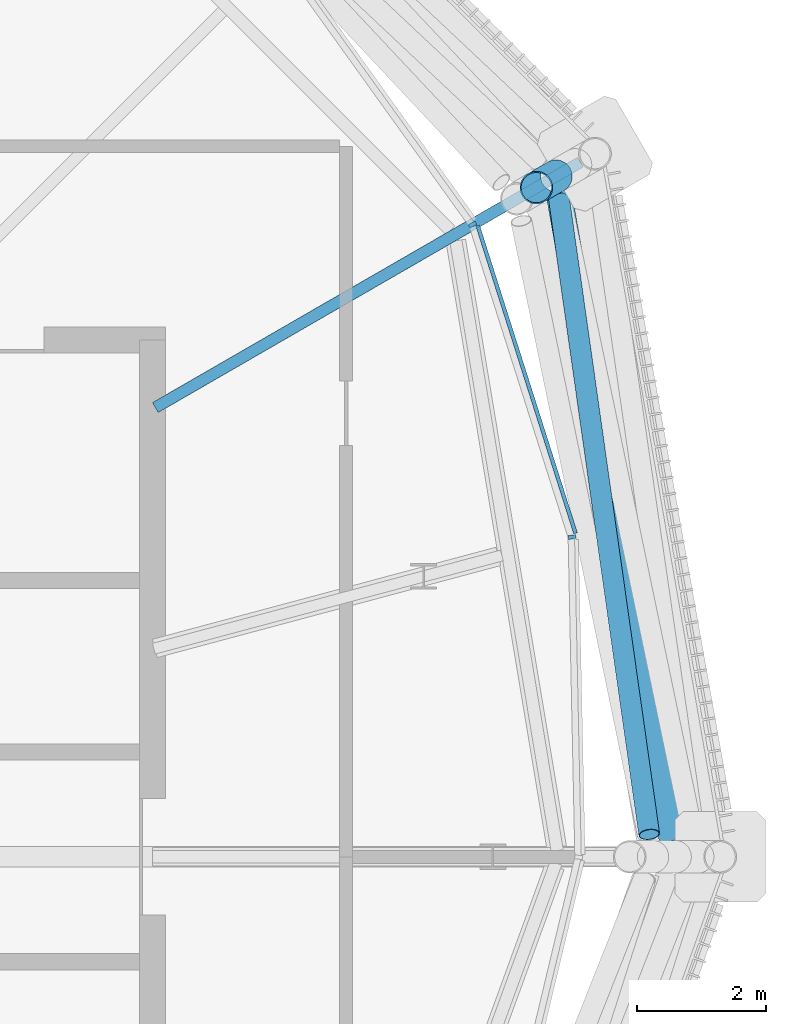
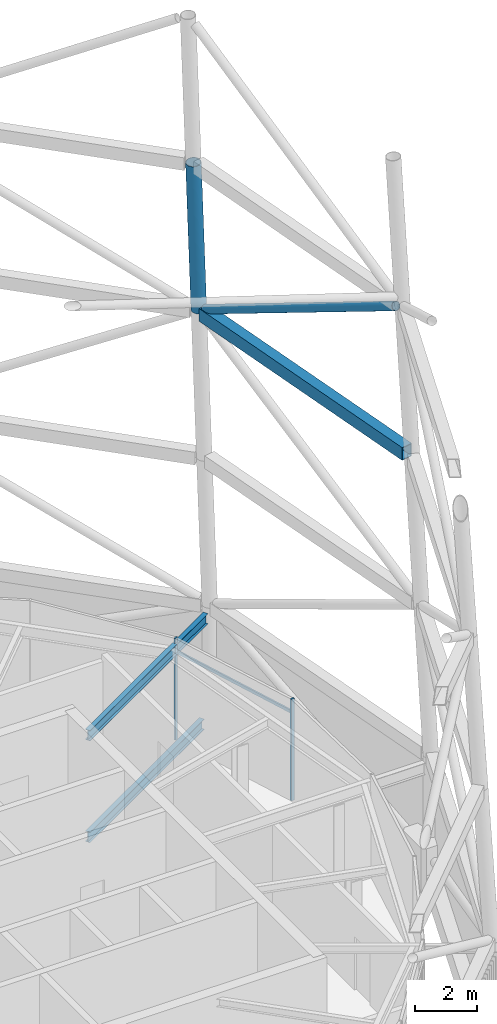
# One storey, part 54 of 71: 5 members, 3 beams, 1 element without a shape of its own.
"""IFC4 building model written with IfcOpenShell, lengths in metres."""

import ifcopenshell
import ifcopenshell.guid

model = None  # the IFC model being written
_history = None  # IfcOwnerHistory: only IFC2X3 demands one
_inside = {}  # id of a spatial element -> (the spatial element, [elements in it])
_under = {}  # id of a project, library or spatial element -> (it, [spatial elements below it])
_declared = {}  # id of a project -> (the project, [libraries it declares])
_typed = {}  # id of a type object -> (the type object, [elements of that type])
_made_of = {}  # id of a material, layer set ... -> (it, [elements and type objects made of it])


def new_model(schema):
    """Start an empty IFC model of exactly this schema.

    Asked for "IFC4X3", IfcOpenShell would pick the latest addendum, in which some entities
    have other attributes; the version numbers below select the first issue.
    IFC2X3 requires an IfcOwnerHistory on every rooted entity: one is made here for all.
    """
    global model, _history
    if schema == "IFC4X3":
        model = ifcopenshell.file(schema_version=(4, 3, 0, 0))
    else:
        model = ifcopenshell.file(schema=schema)
    _inside.clear()
    _under.clear()
    _declared.clear()
    _typed.clear()
    _made_of.clear()
    _history = None
    if model.schema == "IFC2X3":
        org = make("IfcOrganization", Name="unknown")
        user = make(
            "IfcPersonAndOrganization",
            ThePerson=make("IfcPerson", FamilyName="unknown"),
            TheOrganization=org,
        )
        app = make(
            "IfcApplication",
            ApplicationDeveloper=org,
            Version="unknown",
            ApplicationFullName="unknown",
            ApplicationIdentifier="unknown",
        )
        _history = make(
            "IfcOwnerHistory",
            OwningUser=user,
            OwningApplication=app,
            ChangeAction="ADDED",
            CreationDate=0,
        )
    return model


def make(cls, **values):
    """One entity of the class cls with the attributes given. An attribute that is None is left unset."""
    return model.create_entity(
        cls, **{name: value for name, value in values.items() if value is not None}
    )


def rooted(cls, **values):
    """An entity with a GlobalId (a new one), such as an element, a storey or a relation."""
    return make(cls, GlobalId=ifcopenshell.guid.new(), OwnerHistory=_history, **values)


def si_unit(unit_type, name, prefix=None):
    """IfcSIUnit, for example si_unit("LENGTHUNIT", "METRE", prefix="MILLI")."""
    return make("IfcSIUnit", UnitType=unit_type, Prefix=prefix, Name=name)


def assignment(units):
    """IfcUnitAssignment: the units of a project."""
    return None if units is None else make("IfcUnitAssignment", Units=units)


def point(xyz):
    """IfcCartesianPoint."""
    return None if xyz is None else make("IfcCartesianPoint", Coordinates=xyz)


def direction(xyz):
    """IfcDirection."""
    return None if xyz is None else make("IfcDirection", DirectionRatios=xyz)


def frame(location, z_axis=None, x_axis=None):
    """IfcAxis2Placement3D, a coordinate frame: its origin and axes. An axis left out is left unset."""
    return make(
        "IfcAxis2Placement3D",
        Location=point(location),
        Axis=direction(z_axis),
        RefDirection=direction(x_axis),
    )


def frame_2d(location, x_axis=None):
    """IfcAxis2Placement2D, a coordinate frame in the plane: its origin and x axis."""
    return make(
        "IfcAxis2Placement2D", Location=point(location), RefDirection=direction(x_axis)
    )


def origin():
    """The frame at (0, 0, 0) with its axes left unset."""
    return frame((0.0, 0.0, 0.0))


def origin_2d():
    """The frame at (0, 0) in the plane with its x axis left unset."""
    return frame_2d((0.0, 0.0))


def place(relative_to, where):
    """IfcLocalPlacement: puts the frame where relative to a parent placement (None: the world)."""
    return make(
        "IfcLocalPlacement", PlacementRelTo=relative_to, RelativePlacement=where
    )


def context(
    kind, dimensions, precision=None, world=None, true_north=None, identifier=None
):
    """IfcGeometricRepresentationContext, for example the 3D "Model" context."""
    return make(
        "IfcGeometricRepresentationContext",
        ContextIdentifier=identifier,
        ContextType=kind,
        CoordinateSpaceDimension=dimensions,
        Precision=precision,
        WorldCoordinateSystem=world,
        TrueNorth=true_north,
    )


def subcontext(parent, identifier, kind, view, scale=None):
    """IfcGeometricRepresentationSubContext, for example "Body" below "Model"."""
    return make(
        "IfcGeometricRepresentationSubContext",
        ContextIdentifier=identifier,
        ContextType=kind,
        ParentContext=parent,
        TargetScale=scale,
        TargetView=view,
    )


def project(units=None, contexts=None):
    """IfcProject with its units and contexts."""
    return rooted(
        "IfcProject",
        Name="project",
        RepresentationContexts=contexts,
        UnitsInContext=assignment(units),
    )


def spatial(cls, under=None, at=None, **own):
    """A site, building, storey or space (cls), placed at a placement, below another one or the project."""
    s = rooted(cls, ObjectPlacement=at, **own)
    if under is not None:
        _under.setdefault(under.id(), (under, []))[1].append(s)
    return s


def profile(cls, at=None, kind="AREA", **sizes):
    """A parametric profile (cls). Its sizes go by their IFC names, for example OverallWidth=200.0."""
    return make(cls, ProfileType=kind, Position=at, **sizes)


def rectangle(**sizes):
    """IfcRectangleProfileDef."""
    return profile("IfcRectangleProfileDef", **sizes)


def hollow_rectangle(**sizes):
    """IfcRectangleHollowProfileDef."""
    return profile("IfcRectangleHollowProfileDef", **sizes)


def hollow_circle(**sizes):
    """IfcCircleHollowProfileDef."""
    return profile("IfcCircleHollowProfileDef", **sizes)


def i_section(**sizes):
    """IfcIShapeProfileDef."""
    return profile("IfcIShapeProfileDef", **sizes)


def extrude(swept, where, along, depth):
    """IfcExtrudedAreaSolid: the profile swept, set in the frame where, extruded along a direction by depth."""
    return make(
        "IfcExtrudedAreaSolid",
        SweptArea=swept,
        Position=where,
        ExtrudedDirection=direction(along),
        Depth=depth,
    )


def shape(context_of_items, identifier, shape_type, items):
    """IfcShapeRepresentation: the items that make up one representation, for example the "Body"."""
    return make(
        "IfcShapeRepresentation",
        ContextOfItems=context_of_items,
        RepresentationIdentifier=identifier,
        RepresentationType=shape_type,
        Items=items,
    )


def material(Name=None, Category=None):
    """IfcMaterial."""
    return make("IfcMaterial", Name=Name, Category=Category)


def material_profile(
    of_material, cross_section, Name=None, Category=None, Priority=None
):
    """IfcMaterialProfile: a cross section and its material."""
    return make(
        "IfcMaterialProfile",
        Name=Name,
        Material=of_material,
        Profile=cross_section,
        Priority=Priority,
        Category=Category,
    )


def profile_set(profiles, Name=None, composite=None):
    """IfcMaterialProfileSet."""
    return make(
        "IfcMaterialProfileSet",
        Name=Name,
        MaterialProfiles=profiles,
        CompositeProfile=composite,
    )


def made_of(thing, what):
    """Note that an element or type object is made of a material, layer set ...; save() writes the relation."""
    if what is not None:
        _made_of.setdefault(what.id(), (what, []))[1].append(thing)
    return thing


def type_object(cls, material=None, **own):
    """A type object (cls), such as IfcWallType, which elements share."""
    return made_of(rooted(cls, **own), material)


def element(
    cls,
    number,
    at=None,
    inside=None,
    cuts=None,
    type_object=None,
    material=None,
    context=None,
    identifier="Body",
    shape_type=None,
    held_by="IfcProductDefinitionShape",
    body=None,
    shapes=None,
    **own,
):
    """One element of the class cls, such as IfcWall. Its Tag is "e" and its number.

    at: its placement. inside: the storey or other place that contains it. cuts: it is an
    opening in that element (IfcRelVoidsElement). A single representation is given by context,
    identifier, shape_type and body (its items); several are given by shapes. held_by: the class
    of the entity that holds the representations. save() writes the other relations.
    """
    e = rooted(cls, Tag="e%d" % number, ObjectPlacement=at, **own)
    if body is not None:
        shapes = [shape(context, identifier, shape_type, body)]
    if shapes is not None:
        e.Representation = make(held_by, Representations=shapes)
    if inside is not None:
        _inside.setdefault(inside.id(), (inside, []))[1].append(e)
    if cuts is not None:
        rooted(
            "IfcRelVoidsElement", RelatingBuildingElement=cuts, RelatedOpeningElement=e
        )
    if type_object is not None:
        _typed.setdefault(type_object.id(), (type_object, []))[1].append(e)
    return made_of(e, material)


def aggregate(whole, parts):
    """IfcRelAggregates: a whole, such as a stair, and the parts it consists of."""
    return rooted("IfcRelAggregates", RelatingObject=whole, RelatedObjects=parts)


def save(model, path):
    """Write the relations noted so far, then the file.

    IfcRelAggregates (storeys below a building ...), IfcRelContainedInSpatialStructure (elements
    in a storey), IfcRelDefinesByType, IfcRelAssociatesMaterial and IfcRelDeclares: one each for
    every whole, place, type object, material and project.
    """
    for whole, parts in _under.values():
        aggregate(whole, parts)
    for where, things in _inside.values():
        rooted(
            "IfcRelContainedInSpatialStructure",
            RelatedElements=things,
            RelatingStructure=where,
        )
    for kind, things in _typed.values():
        rooted("IfcRelDefinesByType", RelatedObjects=things, RelatingType=kind)
    for what, things in _made_of.values():
        rooted("IfcRelAssociatesMaterial", RelatedObjects=things, RelatingMaterial=what)
    for by, libraries in _declared.values():
        rooted("IfcRelDeclares", RelatingContext=by, RelatedDefinitions=libraries)
    model.write(path)


model = new_model("IFC4")

# Units and contexts
model_context = context("Model", 3, precision=1e-05, world=origin(), true_north=direction((0.0, 1.0)))
body_context = subcontext(model_context, "Body", "Model", "MODEL_VIEW")
ifc_project = project(units=[si_unit("LENGTHUNIT", "METRE"), si_unit("AREAUNIT", "SQUARE_METRE"), si_unit("VOLUMEUNIT", "CUBIC_METRE"), si_unit("PLANEANGLEUNIT", "RADIAN"), si_unit("MASSUNIT", "GRAM", prefix="KILO")], contexts=[model_context])

# Site, building, storey
site_placement = place(None, origin())
site = spatial("IfcSite", under=ifc_project, at=site_placement, CompositionType="ELEMENT")
building_placement = place(site_placement, origin())
building = spatial("IfcBuilding", under=site, at=building_placement, Name="Rimbun Link Towers", CompositionType="ELEMENT")
storey_placement = place(building_placement, frame((0.0, 0.0, 267.60009765625)))
storey = spatial("IfcBuildingStorey", under=building, at=storey_placement, Name="L65", CompositionType="ELEMENT", Elevation=267.60009765625)

# Curtain wall, members
ifc_material_1 = material(Name="Aluminium 6063-T6 louvre wall", Category="aluminium")
curtain_wall_type = type_object("IfcCurtainWallType", Name="CW6 plant floor louvre wall", PredefinedType="NOTDEFINED", material=ifc_material_1)
curtain_wall_placement = place(storey_placement, origin())
curtain_wall = element("IfcCurtainWall", 1, at=curtain_wall_placement, inside=storey, type_object=curtain_wall_type, Name="CW6 L65 T2", PredefinedType="NOTDEFINED")
ifc_material_2 = material(Name="Aluminium 6063-T6", Category="aluminium")
ifc_material_profile_1 = material_profile(ifc_material_2, rectangle(XDim=0.1201171875, YDim=0.06005859375, at=origin_2d()), Name="MULLION 60X120")
ifc_profile_set_1 = profile_set([ifc_material_profile_1], Name="Aluminium 6063-T6")
member_type_1 = type_object("IfcMemberType", Name="CW6 mullion 60X120", PredefinedType="MULLION", material=ifc_profile_set_1)
member_1_placement = place(storey_placement, frame((50.24560546875, 4.94970703125, 0.0), z_axis=(0.0, 0.0, 1.0), x_axis=(0.986503368819, 0.163740964052, 0.0)))
member_1 = element("IfcMember", 2, at=member_1_placement, type_object=member_type_1, Name="CW6 mullion", PredefinedType="MULLION", context=body_context, shape_type="SweptSolid", body=[
    extrude(rectangle(XDim=0.1201171875, YDim=0.06005859375, at=origin_2d()), origin(), (0.0, 0.0, 1.0), 4.0),
])
member_2_placement = place(storey_placement, frame((48.70751953125, 9.786376953125, 0.0), z_axis=(0.0, 0.0, 1.0), x_axis=(0.893751230633, 0.448562969651, 0.0)))
member_2 = element("IfcMember", 3, at=member_2_placement, type_object=member_type_1, Name="CW6 mullion", PredefinedType="MULLION", context=body_context, shape_type="SweptSolid", body=[
    extrude(rectangle(XDim=0.1201171875, YDim=0.06005859375, at=origin_2d()), origin(), (0.0, 0.0, 1.0), 4.0),
])
ifc_material_3 = material(Name="Aluminium 6063-T6", Category="aluminium")
ifc_material_profile_2 = material_profile(ifc_material_3, rectangle(XDim=0.06005859375, YDim=0.1201171875, at=origin_2d()), Name="TRANSOM 60X120")
ifc_profile_set_2 = profile_set([ifc_material_profile_2], Name="Aluminium 6063-T6")
member_type_2 = type_object("IfcMemberType", Name="CW6 transom 60X120", PredefinedType="USERDEFINED", material=ifc_profile_set_2)
member_3_placement = place(storey_placement, frame((48.786865234375, 9.770263671875, 3.39990234375), z_axis=(0.303050395714, -0.952974531484, 0.0), x_axis=(0.952974531484, 0.303050395714, 0.0)))
member_3 = element("IfcMember", 4, at=member_3_placement, type_object=member_type_2, Name="CW6 transom", ObjectType="TRANSOM", PredefinedType="USERDEFINED", context=body_context, shape_type="SweptSolid", body=[
    extrude(rectangle(XDim=0.06005859375, YDim=0.1201171875, at=origin_2d()), origin(), (0.0, 0.0, 1.0), 4.997314453125),
])
aggregate(curtain_wall, [member_1, member_2, member_3])

# Members
ifc_material_4 = material(Name="Steel S355J2H", Category="steel")
ifc_material_profile_3 = material_profile(ifc_material_4, hollow_circle(Radius=0.161865234375, WallThickness=0.011962890625, at=origin_2d()), Name="Crown frame brace CHS 324x12")
ifc_profile_set_3 = profile_set([ifc_material_profile_3], Name="Steel S355J2H")
member_type_3 = type_object("IfcMemberType", Name="Crown frame brace CHS 324x12", PredefinedType="BRACE", material=ifc_profile_set_3)
member_4_placement = place(storey_placement, frame((50.044921875, 10.189453125, 16.1962890625), z_axis=(0.122357684032, -0.862406728411, 0.491205895678), x_axis=(0.990084576227, 0.140472530828, 0.0)))
element("IfcMember", 5, at=member_4_placement, inside=storey, type_object=member_type_3, Name="CROWN FRAME brace T2 4-10", PredefinedType="BRACE", context=body_context, shape_type="SweptSolid", body=[
    extrude(hollow_circle(Radius=0.161865234375, WallThickness=0.011962890625, at=origin_2d()), origin(), (0.0, 0.0, 1.0), 11.4150390625),
])
ifc_material_5 = material(Name="Steel S355J2H", Category="steel")
ifc_material_profile_4 = material_profile(ifc_material_5, hollow_circle(Radius=0.25390625, WallThickness=0.02001953125, at=origin_2d()), Name="Crown frame post CHS 508x20")
ifc_profile_set_4 = profile_set([ifc_material_profile_4], Name="Steel S355J2H")
member_type_4 = type_object("IfcMemberType", Name="Crown frame post CHS 508x20", PredefinedType="POST", material=ifc_profile_set_4)
member_5_placement = place(storey_placement, frame((49.99609375, 10.534423828125, 16.0), z_axis=(-0.050410767075, -0.029125318286, 0.998303796646), x_axis=(0.500265973451, -0.865871789474, 0.0)))
element("IfcMember", 6, at=member_5_placement, inside=storey, type_object=member_type_4, Name="CROWN FRAME post T2 4-11", PredefinedType="POST", context=body_context, shape_type="SweptSolid", body=[
    extrude(hollow_circle(Radius=0.25390625, WallThickness=0.02001953125, at=origin_2d()), origin(), (0.0, 0.0, 1.0), 6.01025390625),
])

# Beams
ifc_material_6 = material(Name="Steel S355J2", Category="steel")
ifc_material_profile_5 = material_profile(ifc_material_6, hollow_rectangle(XDim=0.39990234375, YDim=0.5, WallThickness=0.02001953125, at=origin_2d()), Name="Crown frame ring beam BOX 400x500x20")
ifc_profile_set_5 = profile_set([ifc_material_profile_5], Name="Steel S355J2")
beam_type_1 = type_object("IfcBeamType", Name="Crown frame ring beam BOX 400x500x20", PredefinedType="BEAM", material=ifc_profile_set_5)
beam_1_placement = place(storey_placement, frame((51.796630859375, 0.250244140625, 16.0), z_axis=(-0.172465792204, 0.985015507756, 0.0), x_axis=(-0.985015507756, -0.172465792204, 0.0)))
element("IfcBeam", 7, at=beam_1_placement, inside=storey, type_object=beam_type_1, Name="CROWN FRAME ring beam T2 3-10", PredefinedType="BEAM", context=body_context, shape_type="SweptSolid", body=[
    extrude(hollow_rectangle(XDim=0.39990234375, YDim=0.5, WallThickness=0.02001953125, at=origin_2d()), origin(), (0.0, 0.0, 1.0), 10.1865234375),
])
ifc_material_7 = material(Name="Steel S355J2", Category="steel")
ifc_material_profile_6 = material_profile(ifc_material_7, i_section(OverallWidth=0.177978515625, OverallDepth=0.406494140625, WebThickness=0.0078125, FlangeThickness=0.0126953125, at=origin_2d()), Name="UB 406x178x60")
ifc_profile_set_6 = profile_set([ifc_material_profile_6], Name="Steel S355J2")
beam_type_2 = type_object("IfcBeamType", Name="UB 406x178x60", PredefinedType="BEAM", material=ifc_profile_set_6)
beam_2_placement = place(storey_placement, frame((43.79541015625, 6.954345703125, -0.4033203125), z_axis=(0.866009365951, 0.500027777314, 0.0), x_axis=(-0.500027777314, 0.866009365951, 0.0)))
element("IfcBeam", 8, at=beam_2_placement, inside=storey, type_object=beam_type_2, Name="Radial beam T2 L65 23", PredefinedType="BEAM", context=body_context, shape_type="SweptSolid", body=[
    extrude(i_section(OverallWidth=0.177978515625, OverallDepth=0.406494140625, WebThickness=0.0078125, FlangeThickness=0.0126953125, at=origin_2d()), origin(), (0.0, 0.0, 1.0), 7.35986328125),
])
beam_3_placement = place(storey_placement, frame((43.79541015625, 6.954345703125, 3.5966796875), z_axis=(0.866022425744, 0.500005158081, 0.0), x_axis=(-0.500005158081, 0.866022425744, 0.0)))
element("IfcBeam", 9, at=beam_3_placement, inside=storey, type_object=beam_type_2, Name="Radial beam T2 L65 23", PredefinedType="BEAM", context=body_context, shape_type="SweptSolid", body=[
    extrude(i_section(OverallWidth=0.177978515625, OverallDepth=0.406494140625, WebThickness=0.0078125, FlangeThickness=0.0126953125, at=origin_2d()), origin(), (0.0, 0.0, 1.0), 7.60009765625),
])

save(model, "model.ifc")
